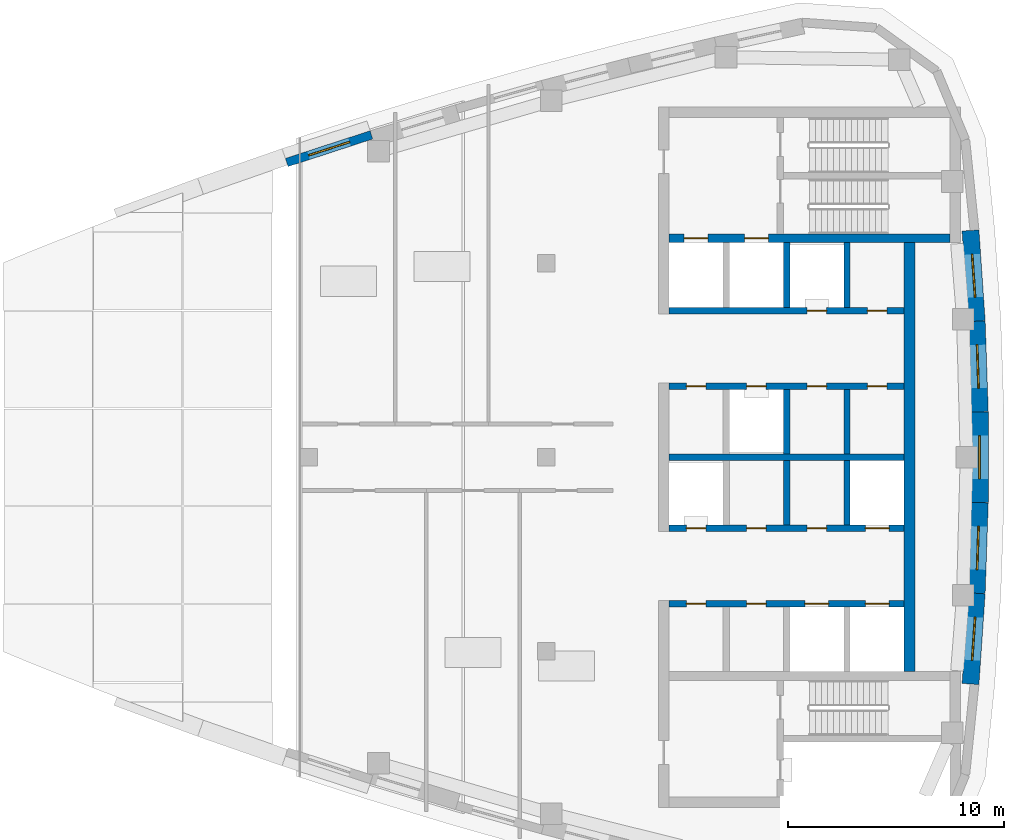
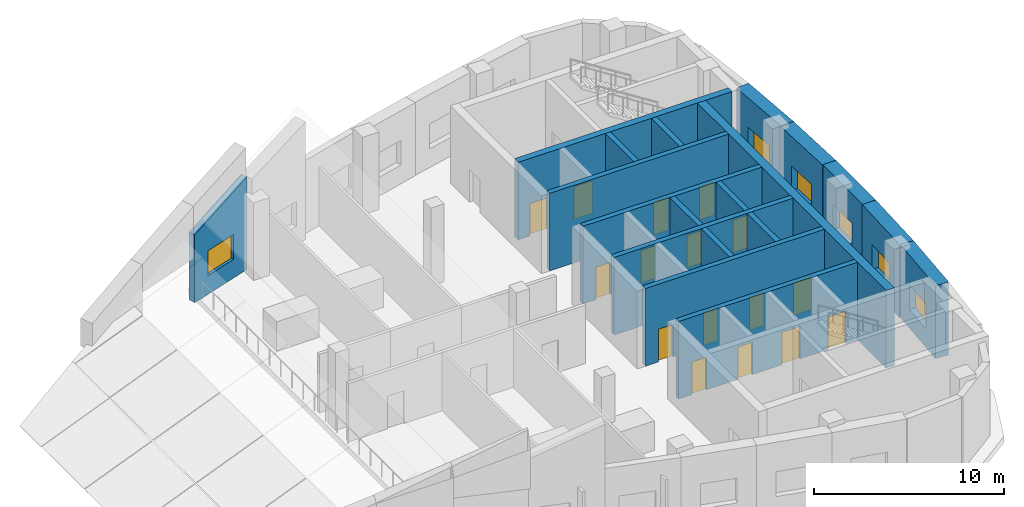
# One storey, part 3 of 8: 19 walls, 16 doors, 6 windows, 22 openings.
"""IFC4 building model written with IfcOpenShell, lengths in metres."""

from ifc_helpers import new_model, si_unit, direction, frame, frame_2d, origin, place, context, subcontext, project, spatial, polyline, rectangle, outline, extrude, material, layer, layer_set, type_object, element, fill, save


model = new_model("IFC4")

# Units and contexts
model_context = context("Model", 3, precision=1e-05, world=origin(), true_north=direction((0.0, 1.0)))
body_context = subcontext(model_context, "Body", "Model", "MODEL_VIEW")
ifc_project = project(units=[si_unit("LENGTHUNIT", "METRE"), si_unit("AREAUNIT", "SQUARE_METRE"), si_unit("VOLUMEUNIT", "CUBIC_METRE"), si_unit("PLANEANGLEUNIT", "RADIAN"), si_unit("MASSUNIT", "GRAM", prefix="KILO")], contexts=[model_context])

# Site, building, storey
site_placement = place(None, origin())
site = spatial("IfcSite", under=ifc_project, at=site_placement, CompositionType="ELEMENT")
building_placement = place(site_placement, origin())
building = spatial("IfcBuilding", under=site, at=building_placement, Name="Ostrand Prow Hotel Tower", CompositionType="ELEMENT")
storey_placement = place(building_placement, frame((0.0, 0.0, 332.39990234375)))
storey = spatial("IfcBuildingStorey", under=building, at=storey_placement, Name="C6", CompositionType="ELEMENT", Elevation=332.39990234375)

# Wall
ifc_material_1 = material(Name="Concrete C40/50", Category="concrete")
ifc_layer_1 = layer(ifc_material_1, 0.300048828125)
ifc_layer_set_1 = layer_set([ifc_layer_1], Name="Concrete C40/50")
wall_type_1 = type_object("IfcWallType", Name="Core wall 300 C40/50", PredefinedType="SHEAR", material=ifc_layer_set_1)
wall_1_placement = place(storey_placement, frame((50.699951171875, 0.0, 0.0), z_axis=(0.0, 0.0, 1.0), x_axis=(1.0, 0.0, 0.0)))
element("IfcWall", 1, at=wall_1_placement, inside=storey, type_object=wall_type_1, Name="Core wall PW-C", PredefinedType="SHEAR", context=body_context, shape_type="SweptSolid", body=[
    extrude(rectangle(XDim=10.900146484375, YDim=0.300048828125, at=frame_2d((5.4501953125, 0.0))), origin(), (0.0, 0.0, 1.0), 5.0),
])

# Wall, openings, doors
wall_2_placement = place(storey_placement, frame((50.699951171875, 3.300048828125, 0.0), z_axis=(0.0, 0.0, 1.0), x_axis=(1.0, 0.0, 0.0)))
wall_2 = element("IfcWall", 2, at=wall_2_placement, inside=storey, type_object=wall_type_1, Name="Core wall PW-L1-N", PredefinedType="SHEAR", context=body_context, shape_type="SweptSolid", body=[
    extrude(rectangle(XDim=10.900146484375, YDim=0.300048828125, at=frame_2d((5.4501953125, 0.0))), origin(), (0.0, 0.0, 1.0), 5.0),
])
opening_1_placement = place(wall_2_placement, frame((0.800048828125, 0.0, 0.0)))
opening_1 = element("IfcOpeningElement", 3, at=opening_1_placement, cuts=wall_2, Name="Opening FD2", PredefinedType="OPENING", context=body_context, shape_type="SweptSolid", body=[
    extrude(rectangle(XDim=0.89990234375, YDim=2.10009765625, at=frame_2d((0.449951171875, 1.050048828125))), frame((0.0, 0.159912109375, 0.0), z_axis=(0.0, -1.0, 0.0), x_axis=(1.0, 0.0, 0.0)), (0.0, 0.0, 1.0), 0.320068359375),
])
opening_2_placement = place(wall_2_placement, frame((3.60009765625, 0.0, 0.0)))
opening_2 = element("IfcOpeningElement", 4, at=opening_2_placement, cuts=wall_2, Name="Opening FD2", PredefinedType="OPENING", context=body_context, shape_type="SweptSolid", body=[
    extrude(rectangle(XDim=0.89990234375, YDim=2.10009765625, at=frame_2d((0.449951171875, 1.050048828125))), frame((0.0, 0.159912109375, 0.0), z_axis=(0.0, -1.0, 0.0), x_axis=(1.0, 0.0, 0.0)), (0.0, 0.0, 1.0), 0.320068359375),
])
opening_3_placement = place(wall_2_placement, frame((6.39990234375, 0.0, 0.0)))
opening_3 = element("IfcOpeningElement", 5, at=opening_3_placement, cuts=wall_2, Name="Opening FD2", PredefinedType="OPENING", context=body_context, shape_type="SweptSolid", body=[
    extrude(rectangle(XDim=0.89990234375, YDim=2.10009765625, at=frame_2d((0.449951171875, 1.050048828125))), frame((0.0, 0.159912109375, 0.0), z_axis=(0.0, -1.0, 0.0), x_axis=(1.0, 0.0, 0.0)), (0.0, 0.0, 1.0), 0.320068359375),
])
opening_4_placement = place(wall_2_placement, frame((9.199951171875, 0.0, 0.0)))
opening_4 = element("IfcOpeningElement", 6, at=opening_4_placement, cuts=wall_2, Name="Opening FD2", PredefinedType="OPENING", context=body_context, shape_type="SweptSolid", body=[
    extrude(rectangle(XDim=0.89990234375, YDim=2.10009765625, at=frame_2d((0.449951171875, 1.050048828125))), frame((0.0, 0.159912109375, 0.0), z_axis=(0.0, -1.0, 0.0), x_axis=(1.0, 0.0, 0.0)), (0.0, 0.0, 1.0), 0.320068359375),
])
ifc_material_2 = material(Name="Steel fire door", Category="steel")
door_type_1 = type_object("IfcDoorType", Name="Fire door 900 EI120", OperationType="SINGLE_SWING_LEFT", PredefinedType="DOOR", material=ifc_material_2)
door_1_placement = place(opening_1_placement, origin())
door_1 = element("IfcDoor", 7, at=door_1_placement, inside=storey, type_object=door_type_1, Name="DOOR", OperationType="SINGLE_SWING_LEFT", OverallHeight=2.10009765625, OverallWidth=0.89990234375, PredefinedType="DOOR", context=body_context, shape_type="SweptSolid", body=[
    extrude(rectangle(XDim=0.89990234375, YDim=2.10009765625, at=frame_2d((0.449951171875, 1.050048828125))), frame((0.0, 0.02490234375, 0.0), z_axis=(0.0, -1.0, 0.0), x_axis=(1.0, 0.0, 0.0)), (0.0, 0.0, 1.0), 0.050048828125),
])
fill(opening_1, door_1)
door_2_placement = place(opening_2_placement, origin())
door_2 = element("IfcDoor", 8, at=door_2_placement, inside=storey, type_object=door_type_1, Name="DOOR", OperationType="SINGLE_SWING_LEFT", OverallHeight=2.10009765625, OverallWidth=0.89990234375, PredefinedType="DOOR", context=body_context, shape_type="SweptSolid", body=[
    extrude(rectangle(XDim=0.89990234375, YDim=2.10009765625, at=frame_2d((0.449951171875, 1.050048828125))), frame((0.0, 0.02490234375, 0.0), z_axis=(0.0, -1.0, 0.0), x_axis=(1.0, 0.0, 0.0)), (0.0, 0.0, 1.0), 0.050048828125),
])
fill(opening_2, door_2)
door_3_placement = place(opening_3_placement, origin())
door_3 = element("IfcDoor", 9, at=door_3_placement, inside=storey, type_object=door_type_1, Name="DOOR", OperationType="SINGLE_SWING_LEFT", OverallHeight=2.10009765625, OverallWidth=0.89990234375, PredefinedType="DOOR", context=body_context, shape_type="SweptSolid", body=[
    extrude(rectangle(XDim=0.89990234375, YDim=2.10009765625, at=frame_2d((0.449951171875, 1.050048828125))), frame((0.0, 0.02490234375, 0.0), z_axis=(0.0, -1.0, 0.0), x_axis=(1.0, 0.0, 0.0)), (0.0, 0.0, 1.0), 0.050048828125),
])
fill(opening_3, door_3)
door_4_placement = place(opening_4_placement, origin())
door_4 = element("IfcDoor", 10, at=door_4_placement, inside=storey, type_object=door_type_1, Name="DOOR", OperationType="SINGLE_SWING_LEFT", OverallHeight=2.10009765625, OverallWidth=0.89990234375, PredefinedType="DOOR", context=body_context, shape_type="SweptSolid", body=[
    extrude(rectangle(XDim=0.89990234375, YDim=2.10009765625, at=frame_2d((0.449951171875, 1.050048828125))), frame((0.0, 0.02490234375, 0.0), z_axis=(0.0, -1.0, 0.0), x_axis=(1.0, 0.0, 0.0)), (0.0, 0.0, 1.0), 0.050048828125),
])
fill(opening_4, door_4)

wall_3_placement = place(storey_placement, frame((50.699951171875, 6.800048828125, 0.0), z_axis=(0.0, 0.0, 1.0), x_axis=(1.0, 0.0, 0.0)))
wall_3 = element("IfcWall", 11, at=wall_3_placement, inside=storey, type_object=wall_type_1, Name="Core wall PW-L2-N", PredefinedType="SHEAR", context=body_context, shape_type="SweptSolid", body=[
    extrude(rectangle(XDim=10.900146484375, YDim=0.300048828125, at=frame_2d((5.4501953125, 0.0))), origin(), (0.0, 0.0, 1.0), 5.0),
])
opening_5_placement = place(wall_3_placement, frame((6.39990234375, 0.0, 0.0)))
opening_5 = element("IfcOpeningElement", 12, at=opening_5_placement, cuts=wall_3, Name="Opening FD2", PredefinedType="OPENING", context=body_context, shape_type="SweptSolid", body=[
    extrude(rectangle(XDim=0.89990234375, YDim=2.10009765625, at=frame_2d((0.449951171875, 1.050048828125))), frame((0.0, 0.159912109375, 0.0), z_axis=(0.0, -1.0, 0.0), x_axis=(1.0, 0.0, 0.0)), (0.0, 0.0, 1.0), 0.320068359375),
])
opening_6_placement = place(wall_3_placement, frame((9.199951171875, 0.0, 0.0)))
opening_6 = element("IfcOpeningElement", 13, at=opening_6_placement, cuts=wall_3, Name="Opening FD2", PredefinedType="OPENING", context=body_context, shape_type="SweptSolid", body=[
    extrude(rectangle(XDim=0.89990234375, YDim=2.10009765625, at=frame_2d((0.449951171875, 1.050048828125))), frame((0.0, 0.159912109375, 0.0), z_axis=(0.0, -1.0, 0.0), x_axis=(1.0, 0.0, 0.0)), (0.0, 0.0, 1.0), 0.320068359375),
])
door_5_placement = place(opening_5_placement, origin())
door_5 = element("IfcDoor", 14, at=door_5_placement, inside=storey, type_object=door_type_1, Name="DOOR", OperationType="SINGLE_SWING_LEFT", OverallHeight=2.10009765625, OverallWidth=0.89990234375, PredefinedType="DOOR", context=body_context, shape_type="SweptSolid", body=[
    extrude(rectangle(XDim=0.89990234375, YDim=2.10009765625, at=frame_2d((0.449951171875, 1.050048828125))), frame((0.0, 0.02490234375, 0.0), z_axis=(0.0, -1.0, 0.0), x_axis=(1.0, 0.0, 0.0)), (0.0, 0.0, 1.0), 0.050048828125),
])
fill(opening_5, door_5)
door_6_placement = place(opening_6_placement, origin())
door_6 = element("IfcDoor", 15, at=door_6_placement, inside=storey, type_object=door_type_1, Name="DOOR", OperationType="SINGLE_SWING_LEFT", OverallHeight=2.10009765625, OverallWidth=0.89990234375, PredefinedType="DOOR", context=body_context, shape_type="SweptSolid", body=[
    extrude(rectangle(XDim=0.89990234375, YDim=2.10009765625, at=frame_2d((0.449951171875, 1.050048828125))), frame((0.0, 0.02490234375, 0.0), z_axis=(0.0, -1.0, 0.0), x_axis=(1.0, 0.0, 0.0)), (0.0, 0.0, 1.0), 0.050048828125),
])
fill(opening_6, door_6)

# Walls
for number, where, z_axis, x_axis, name in (
    (16, (56.14990234375, 0.14990234375, 0.0), (0.0, 0.0, 1.0), (0.0, 1.0, 0.0), "Core wall PW-R2-NB"),
    (17, (56.14990234375, 6.949951171875, 0.0), (0.0, 0.0, 1.0), (0.0, 1.0, 0.0), "Core wall PW-R2-NA"),
    (18, (58.949951171875, 0.14990234375, 0.0), (0.0, 0.0, 1.0), (0.0, 1.0, 0.0), "Core wall PW-R3-NB"),
    (19, (58.949951171875, 6.949951171875, 0.0), (0.0, 0.0, 1.0), (0.0, 1.0, 0.0), "Core wall PW-R3-NA"),
):
    element("IfcWall", number, at=place(storey_placement, frame(where, z_axis=z_axis, x_axis=x_axis)), inside=storey, type_object=wall_type_1, Name=name, PredefinedType="SHEAR", context=body_context, shape_type="SweptSolid", body=[
        extrude(rectangle(XDim=3.0, YDim=0.300048828125, at=frame_2d((1.5, 0.0))), origin(), (0.0, 0.0, 1.0), 5.0),
    ])

# Wall, openings, doors
wall_4_placement = place(storey_placement, frame((50.699951171875, -3.300048828125, 0.0), z_axis=(0.0, 0.0, 1.0), x_axis=(1.0, 0.0, 0.0)))
wall_4 = element("IfcWall", 20, at=wall_4_placement, inside=storey, type_object=wall_type_1, Name="Core wall PW-L1-S", PredefinedType="SHEAR", context=body_context, shape_type="SweptSolid", body=[
    extrude(rectangle(XDim=10.900146484375, YDim=0.300048828125, at=frame_2d((5.4501953125, 0.0))), origin(), (0.0, 0.0, 1.0), 5.0),
])
opening_7_placement = place(wall_4_placement, frame((9.10009765625, 0.0, 0.0)))
opening_7 = element("IfcOpeningElement", 21, at=opening_7_placement, cuts=wall_4, Name="Opening LD", PredefinedType="OPENING", context=body_context, shape_type="SweptSolid", body=[
    extrude(rectangle(XDim=1.10009765625, YDim=2.10009765625, at=frame_2d((0.550048828125, 1.050048828125))), frame((0.0, 0.159912109375, 0.0), z_axis=(0.0, -1.0, 0.0), x_axis=(1.0, 0.0, 0.0)), (0.0, 0.0, 1.0), 0.320068359375),
])
opening_8_placement = place(wall_4_placement, frame((0.800048828125, 0.0, 0.0)))
opening_8 = element("IfcOpeningElement", 22, at=opening_8_placement, cuts=wall_4, Name="Opening FD2", PredefinedType="OPENING", context=body_context, shape_type="SweptSolid", body=[
    extrude(rectangle(XDim=0.89990234375, YDim=2.10009765625, at=frame_2d((0.449951171875, 1.050048828125))), frame((0.0, 0.159912109375, 0.0), z_axis=(0.0, -1.0, 0.0), x_axis=(1.0, 0.0, 0.0)), (0.0, 0.0, 1.0), 0.320068359375),
])
opening_9_placement = place(wall_4_placement, frame((3.60009765625, 0.0, 0.0)))
opening_9 = element("IfcOpeningElement", 23, at=opening_9_placement, cuts=wall_4, Name="Opening FD2", PredefinedType="OPENING", context=body_context, shape_type="SweptSolid", body=[
    extrude(rectangle(XDim=0.89990234375, YDim=2.10009765625, at=frame_2d((0.449951171875, 1.050048828125))), frame((0.0, 0.159912109375, 0.0), z_axis=(0.0, -1.0, 0.0), x_axis=(1.0, 0.0, 0.0)), (0.0, 0.0, 1.0), 0.320068359375),
])
opening_10_placement = place(wall_4_placement, frame((6.39990234375, 0.0, 0.0)))
opening_10 = element("IfcOpeningElement", 24, at=opening_10_placement, cuts=wall_4, Name="Opening FD2", PredefinedType="OPENING", context=body_context, shape_type="SweptSolid", body=[
    extrude(rectangle(XDim=0.89990234375, YDim=2.10009765625, at=frame_2d((0.449951171875, 1.050048828125))), frame((0.0, 0.159912109375, 0.0), z_axis=(0.0, -1.0, 0.0), x_axis=(1.0, 0.0, 0.0)), (0.0, 0.0, 1.0), 0.320068359375),
])
door_7_placement = place(opening_8_placement, origin())
door_7 = element("IfcDoor", 25, at=door_7_placement, inside=storey, type_object=door_type_1, Name="DOOR", OperationType="SINGLE_SWING_LEFT", OverallHeight=2.10009765625, OverallWidth=0.89990234375, PredefinedType="DOOR", context=body_context, shape_type="SweptSolid", body=[
    extrude(rectangle(XDim=0.89990234375, YDim=2.10009765625, at=frame_2d((0.449951171875, 1.050048828125))), frame((0.0, 0.02490234375, 0.0), z_axis=(0.0, -1.0, 0.0), x_axis=(1.0, 0.0, 0.0)), (0.0, 0.0, 1.0), 0.050048828125),
])
fill(opening_8, door_7)
door_8_placement = place(opening_9_placement, origin())
door_8 = element("IfcDoor", 26, at=door_8_placement, inside=storey, type_object=door_type_1, Name="DOOR", OperationType="SINGLE_SWING_LEFT", OverallHeight=2.10009765625, OverallWidth=0.89990234375, PredefinedType="DOOR", context=body_context, shape_type="SweptSolid", body=[
    extrude(rectangle(XDim=0.89990234375, YDim=2.10009765625, at=frame_2d((0.449951171875, 1.050048828125))), frame((0.0, 0.02490234375, 0.0), z_axis=(0.0, -1.0, 0.0), x_axis=(1.0, 0.0, 0.0)), (0.0, 0.0, 1.0), 0.050048828125),
])
fill(opening_9, door_8)
door_9_placement = place(opening_10_placement, origin())
door_9 = element("IfcDoor", 27, at=door_9_placement, inside=storey, type_object=door_type_1, Name="DOOR", OperationType="SINGLE_SWING_LEFT", OverallHeight=2.10009765625, OverallWidth=0.89990234375, PredefinedType="DOOR", context=body_context, shape_type="SweptSolid", body=[
    extrude(rectangle(XDim=0.89990234375, YDim=2.10009765625, at=frame_2d((0.449951171875, 1.050048828125))), frame((0.0, 0.02490234375, 0.0), z_axis=(0.0, -1.0, 0.0), x_axis=(1.0, 0.0, 0.0)), (0.0, 0.0, 1.0), 0.050048828125),
])
fill(opening_10, door_9)
ifc_material_3 = material(Name="Stainless steel door", Category="steel")
door_type_2 = type_object("IfcDoorType", Name="Lift landing door 1100", OperationType="DOUBLE_DOOR_SLIDING", PredefinedType="DOOR", material=ifc_material_3)
door_10_placement = place(opening_7_placement, origin())
door_10 = element("IfcDoor", 28, at=door_10_placement, inside=storey, type_object=door_type_2, Name="LIFT LANDING DOOR", OperationType="DOUBLE_DOOR_SLIDING", OverallHeight=2.10009765625, OverallWidth=1.10009765625, PredefinedType="DOOR", context=body_context, shape_type="SweptSolid", body=[
    extrude(rectangle(XDim=1.10009765625, YDim=2.10009765625, at=frame_2d((0.550048828125, 1.050048828125))), frame((0.0, 0.02490234375, 0.0), z_axis=(0.0, -1.0, 0.0), x_axis=(1.0, 0.0, 0.0)), (0.0, 0.0, 1.0), 0.050048828125),
])
fill(opening_7, door_10)

wall_5_placement = place(storey_placement, frame((50.699951171875, -6.800048828125, 0.0), z_axis=(0.0, 0.0, 1.0), x_axis=(1.0, 0.0, 0.0)))
wall_5 = element("IfcWall", 29, at=wall_5_placement, inside=storey, type_object=wall_type_1, Name="Core wall PW-L2-S", PredefinedType="SHEAR", context=body_context, shape_type="SweptSolid", body=[
    extrude(rectangle(XDim=10.900146484375, YDim=0.300048828125, at=frame_2d((5.4501953125, 0.0))), origin(), (0.0, 0.0, 1.0), 5.0),
])
opening_11_placement = place(wall_5_placement, frame((6.300048828125, 0.0, 0.0)))
opening_11 = element("IfcOpeningElement", 30, at=opening_11_placement, cuts=wall_5, Name="Opening LD", PredefinedType="OPENING", context=body_context, shape_type="SweptSolid", body=[
    extrude(rectangle(XDim=1.10009765625, YDim=2.10009765625, at=frame_2d((0.550048828125, 1.050048828125))), frame((0.0, 0.159912109375, 0.0), z_axis=(0.0, -1.0, 0.0), x_axis=(1.0, 0.0, 0.0)), (0.0, 0.0, 1.0), 0.320068359375),
])
opening_12_placement = place(wall_5_placement, frame((9.10009765625, 0.0, 0.0)))
opening_12 = element("IfcOpeningElement", 31, at=opening_12_placement, cuts=wall_5, Name="Opening LD", PredefinedType="OPENING", context=body_context, shape_type="SweptSolid", body=[
    extrude(rectangle(XDim=1.10009765625, YDim=2.10009765625, at=frame_2d((0.550048828125, 1.050048828125))), frame((0.0, 0.159912109375, 0.0), z_axis=(0.0, -1.0, 0.0), x_axis=(1.0, 0.0, 0.0)), (0.0, 0.0, 1.0), 0.320068359375),
])
opening_13_placement = place(wall_5_placement, frame((0.800048828125, 0.0, 0.0)))
opening_13 = element("IfcOpeningElement", 32, at=opening_13_placement, cuts=wall_5, Name="Opening FD2", PredefinedType="OPENING", context=body_context, shape_type="SweptSolid", body=[
    extrude(rectangle(XDim=0.89990234375, YDim=2.10009765625, at=frame_2d((0.449951171875, 1.050048828125))), frame((0.0, 0.159912109375, 0.0), z_axis=(0.0, -1.0, 0.0), x_axis=(1.0, 0.0, 0.0)), (0.0, 0.0, 1.0), 0.320068359375),
])
opening_14_placement = place(wall_5_placement, frame((3.60009765625, 0.0, 0.0)))
opening_14 = element("IfcOpeningElement", 33, at=opening_14_placement, cuts=wall_5, Name="Opening FD2", PredefinedType="OPENING", context=body_context, shape_type="SweptSolid", body=[
    extrude(rectangle(XDim=0.89990234375, YDim=2.10009765625, at=frame_2d((0.449951171875, 1.050048828125))), frame((0.0, 0.159912109375, 0.0), z_axis=(0.0, -1.0, 0.0), x_axis=(1.0, 0.0, 0.0)), (0.0, 0.0, 1.0), 0.320068359375),
])
door_11_placement = place(opening_13_placement, origin())
door_11 = element("IfcDoor", 34, at=door_11_placement, inside=storey, type_object=door_type_1, Name="DOOR", OperationType="SINGLE_SWING_LEFT", OverallHeight=2.10009765625, OverallWidth=0.89990234375, PredefinedType="DOOR", context=body_context, shape_type="SweptSolid", body=[
    extrude(rectangle(XDim=0.89990234375, YDim=2.10009765625, at=frame_2d((0.449951171875, 1.050048828125))), frame((0.0, 0.02490234375, 0.0), z_axis=(0.0, -1.0, 0.0), x_axis=(1.0, 0.0, 0.0)), (0.0, 0.0, 1.0), 0.050048828125),
])
fill(opening_13, door_11)
door_12_placement = place(opening_14_placement, origin())
door_12 = element("IfcDoor", 35, at=door_12_placement, inside=storey, type_object=door_type_1, Name="DOOR", OperationType="SINGLE_SWING_LEFT", OverallHeight=2.10009765625, OverallWidth=0.89990234375, PredefinedType="DOOR", context=body_context, shape_type="SweptSolid", body=[
    extrude(rectangle(XDim=0.89990234375, YDim=2.10009765625, at=frame_2d((0.449951171875, 1.050048828125))), frame((0.0, 0.02490234375, 0.0), z_axis=(0.0, -1.0, 0.0), x_axis=(1.0, 0.0, 0.0)), (0.0, 0.0, 1.0), 0.050048828125),
])
fill(opening_14, door_12)
door_13_placement = place(opening_11_placement, origin())
door_13 = element("IfcDoor", 36, at=door_13_placement, inside=storey, type_object=door_type_2, Name="LIFT LANDING DOOR", OperationType="DOUBLE_DOOR_SLIDING", OverallHeight=2.10009765625, OverallWidth=1.10009765625, PredefinedType="DOOR", context=body_context, shape_type="SweptSolid", body=[
    extrude(rectangle(XDim=1.10009765625, YDim=2.10009765625, at=frame_2d((0.550048828125, 1.050048828125))), frame((0.0, 0.02490234375, 0.0), z_axis=(0.0, -1.0, 0.0), x_axis=(1.0, 0.0, 0.0)), (0.0, 0.0, 1.0), 0.050048828125),
])
fill(opening_11, door_13)
door_14_placement = place(opening_12_placement, origin())
door_14 = element("IfcDoor", 37, at=door_14_placement, inside=storey, type_object=door_type_2, Name="LIFT LANDING DOOR", OperationType="DOUBLE_DOOR_SLIDING", OverallHeight=2.10009765625, OverallWidth=1.10009765625, PredefinedType="DOOR", context=body_context, shape_type="SweptSolid", body=[
    extrude(rectangle(XDim=1.10009765625, YDim=2.10009765625, at=frame_2d((0.550048828125, 1.050048828125))), frame((0.0, 0.02490234375, 0.0), z_axis=(0.0, -1.0, 0.0), x_axis=(1.0, 0.0, 0.0)), (0.0, 0.0, 1.0), 0.050048828125),
])
fill(opening_12, door_14)

# Walls
for number, where, z_axis, x_axis, name in (
    (38, (56.14990234375, -3.14990234375, 0.0), (0.0, 0.0, 1.0), (0.0, 1.0, 0.0), "Core wall PW-R2-SB"),
    (39, (58.949951171875, -3.14990234375, 0.0), (0.0, 0.0, 1.0), (0.0, 1.0, 0.0), "Core wall PW-R3-SB"),
):
    element("IfcWall", number, at=place(storey_placement, frame(where, z_axis=z_axis, x_axis=x_axis)), inside=storey, type_object=wall_type_1, Name=name, PredefinedType="SHEAR", context=body_context, shape_type="SweptSolid", body=[
        extrude(rectangle(XDim=3.0, YDim=0.300048828125, at=frame_2d((1.5, 0.0))), origin(), (0.0, 0.0, 1.0), 5.0),
    ])

# Wall, openings, doors
ifc_material_4 = material(Name="Concrete C40/50", Category="concrete")
ifc_layer_2 = layer(ifc_material_4, 0.39990234375)
ifc_layer_set_2 = layer_set([ifc_layer_2], Name="Concrete C40/50")
wall_type_2 = type_object("IfcWallType", Name="Core wall 400 C40/50", PredefinedType="SHEAR", material=ifc_layer_set_2)
wall_6_placement = place(storey_placement, frame((50.699951171875, 10.14990234375, 0.0), z_axis=(0.0, 0.0, 1.0), x_axis=(1.0, 0.0, 0.0)))
wall_6 = element("IfcWall", 40, at=wall_6_placement, inside=storey, type_object=wall_type_2, Name="Core wall PW-BN", PredefinedType="SHEAR", context=body_context, shape_type="SweptSolid", body=[
    extrude(rectangle(XDim=13.02001953125, YDim=0.39990234375, at=frame_2d((6.510009765625, 0.0))), origin(), (0.0, 0.0, 1.0), 5.0),
])
opening_15_placement = place(wall_6_placement, frame((0.699951171875, 0.0, 0.0)))
opening_15 = element("IfcOpeningElement", 41, at=opening_15_placement, cuts=wall_6, Name="Opening LD", PredefinedType="OPENING", context=body_context, shape_type="SweptSolid", body=[
    extrude(rectangle(XDim=1.10009765625, YDim=2.10009765625, at=frame_2d((0.550048828125, 1.050048828125))), frame((0.0, 0.2099609375, 0.0), z_axis=(0.0, -1.0, 0.0), x_axis=(1.0, 0.0, 0.0)), (0.0, 0.0, 1.0), 0.419921875),
])
opening_16_placement = place(wall_6_placement, frame((3.5, 0.0, 0.0)))
opening_16 = element("IfcOpeningElement", 42, at=opening_16_placement, cuts=wall_6, Name="Opening LD", PredefinedType="OPENING", context=body_context, shape_type="SweptSolid", body=[
    extrude(rectangle(XDim=1.10009765625, YDim=2.10009765625, at=frame_2d((0.550048828125, 1.050048828125))), frame((0.0, 0.2099609375, 0.0), z_axis=(0.0, -1.0, 0.0), x_axis=(1.0, 0.0, 0.0)), (0.0, 0.0, 1.0), 0.419921875),
])
door_15_placement = place(opening_15_placement, origin())
door_15 = element("IfcDoor", 43, at=door_15_placement, inside=storey, type_object=door_type_2, Name="LIFT LANDING DOOR", OperationType="DOUBLE_DOOR_SLIDING", OverallHeight=2.10009765625, OverallWidth=1.10009765625, PredefinedType="DOOR", context=body_context, shape_type="SweptSolid", body=[
    extrude(rectangle(XDim=1.10009765625, YDim=2.10009765625, at=frame_2d((0.550048828125, 1.050048828125))), frame((0.0, 0.02490234375, 0.0), z_axis=(0.0, -1.0, 0.0), x_axis=(1.0, 0.0, 0.0)), (0.0, 0.0, 1.0), 0.050048828125),
])
fill(opening_15, door_15)
door_16_placement = place(opening_16_placement, origin())
door_16 = element("IfcDoor", 44, at=door_16_placement, inside=storey, type_object=door_type_2, Name="LIFT LANDING DOOR", OperationType="DOUBLE_DOOR_SLIDING", OverallHeight=2.10009765625, OverallWidth=1.10009765625, PredefinedType="DOOR", context=body_context, shape_type="SweptSolid", body=[
    extrude(rectangle(XDim=1.10009765625, YDim=2.10009765625, at=frame_2d((0.550048828125, 1.050048828125))), frame((0.0, 0.02490234375, 0.0), z_axis=(0.0, -1.0, 0.0), x_axis=(1.0, 0.0, 0.0)), (0.0, 0.0, 1.0), 0.050048828125),
])
fill(opening_16, door_16)

# Wall
ifc_material_5 = material(Name="Concrete C40/50", Category="concrete")
ifc_layer_3 = layer(ifc_material_5, 0.5)
ifc_layer_set_3 = layer_set([ifc_layer_3], Name="Concrete C40/50")
wall_type_3 = type_object("IfcWallType", Name="Core wall 500 C40/50", PredefinedType="SHEAR", material=ifc_layer_set_3)
wall_7_placement = place(storey_placement, frame((61.85009765625, -9.949951171875, 0.0), z_axis=(0.0, 0.0, 1.0), x_axis=(0.0, 1.0, 0.0)))
element("IfcWall", 45, at=wall_7_placement, inside=storey, type_object=wall_type_3, Name="Core wall CW-E-C", PredefinedType="SHEAR", context=body_context, shape_type="SweptSolid", body=[
    extrude(rectangle(XDim=19.89990234375, YDim=0.5, at=frame_2d((9.949951171875, 0.0))), origin(), (0.0, 0.0, 1.0), 5.0),
])

# Wall, opening, window
ifc_material_6 = material(Name="Precast concrete C40/50", Category="concrete")
ifc_layer_4 = layer(ifc_material_6, 0.39990234375)
ifc_layer_set_4 = layer_set([ifc_layer_4], Name="Precast concrete C40/50")
wall_type_4 = type_object("IfcWallType", Name="Stone-faced precast wall 400 mm", PredefinedType="NOTDEFINED", material=ifc_layer_set_4)
wall_8_placement = place(storey_placement, frame((64.67822265625, -10.518798828125, 0.0), z_axis=(0.0, 0.0, 1.0), x_axis=(0.068243871044, 0.997668669481, 0.0)))
wall_8 = element("IfcWall", 46, at=wall_8_placement, inside=storey, type_object=wall_type_4, Name="Crown side wall C6 20", PredefinedType="NOTDEFINED", context=body_context, shape_type="SweptSolid", body=[
    extrude(rectangle(XDim=4.2177734375, YDim=0.784912109375, at=frame_2d((2.10888671875, 0.0))), origin(), (0.0, 0.0, 1.0), 4.7001953125),
])
opening_17_placement = place(wall_8_placement, frame((1.10888671875, 0.0, 1.199951171875)))
opening_17 = element("IfcOpeningElement", 47, at=opening_17_placement, cuts=wall_8, Name="Opening WV1", PredefinedType="OPENING", context=body_context, shape_type="SweptSolid", body=[
    extrude(rectangle(XDim=2.0, YDim=1.60009765625, at=frame_2d((1.0, 0.800048828125))), frame((0.0, 0.40234375, 0.0), z_axis=(0.0, -1.0, 0.0), x_axis=(1.0, 0.0, 0.0)), (0.0, 0.0, 1.0), 0.804931640625),
])
ifc_material_7 = material(Name="Bronze anodised aluminium louvre", Category="aluminium")
window_type = type_object("IfcWindowType", Name="Louvre vent 2000x1600", PartitioningType="SINGLE_PANEL", PredefinedType="WINDOW", material=ifc_material_7)
window_1_placement = place(opening_17_placement, origin())
window_1 = element("IfcWindow", 48, at=window_1_placement, inside=storey, type_object=window_type, Name="Louvre vent 20.1", OverallHeight=1.60009765625, OverallWidth=2.0, PartitioningType="SINGLE_PANEL", PredefinedType="WINDOW", context=body_context, shape_type="SweptSolid", body=[
    extrude(rectangle(XDim=2.0, YDim=1.60009765625, at=frame_2d((1.0, 0.800048828125))), frame((0.0, 0.030029296875, 0.0), z_axis=(0.0, -1.0, 0.0), x_axis=(1.0, 0.0, 0.0)), (0.0, 0.0, 1.0), 0.06005859375),
])
fill(opening_17, window_1)

wall_9_placement = place(storey_placement, frame((64.945556640625, -6.31689453125, 0.0), z_axis=(0.0, 0.0, 1.0), x_axis=(0.034151270612, 0.999416675224, 0.0)))
wall_9 = element("IfcWall", 49, at=wall_9_placement, inside=storey, type_object=wall_type_4, Name="Crown side wall C6 21", PredefinedType="NOTDEFINED", context=body_context, shape_type="SweptSolid", body=[
    extrude(rectangle(XDim=4.2177734375, YDim=0.825439453125, at=frame_2d((2.10888671875, 0.0))), origin(), (0.0, 0.0, 1.0), 4.7001953125),
])
opening_18_placement = place(wall_9_placement, frame((1.10888671875, 0.0, 1.199951171875)))
opening_18 = element("IfcOpeningElement", 50, at=opening_18_placement, cuts=wall_9, Name="Opening WV1", PredefinedType="OPENING", context=body_context, shape_type="SweptSolid", body=[
    extrude(rectangle(XDim=2.0, YDim=1.60009765625, at=frame_2d((1.0, 0.800048828125))), frame((0.0, 0.422607421875, 0.0), z_axis=(0.0, -1.0, 0.0), x_axis=(1.0, 0.0, 0.0)), (0.0, 0.0, 1.0), 0.845458984375),
])
window_2_placement = place(opening_18_placement, origin())
window_2 = element("IfcWindow", 51, at=window_2_placement, inside=storey, type_object=window_type, Name="Louvre vent 21.1", OverallHeight=1.60009765625, OverallWidth=2.0, PartitioningType="SINGLE_PANEL", PredefinedType="WINDOW", context=body_context, shape_type="SweptSolid", body=[
    extrude(rectangle(XDim=2.0, YDim=1.60009765625, at=frame_2d((1.0, 0.800048828125))), frame((0.0, 0.030029296875, 0.0), z_axis=(0.0, -1.0, 0.0), x_axis=(1.0, 0.0, 0.0)), (0.0, 0.0, 1.0), 0.06005859375),
])
fill(opening_18, window_2)

wall_10_placement = place(storey_placement, frame((65.10107421875, -2.10888671875, 0.0), z_axis=(0.0, 0.0, 1.0), x_axis=(0.0, 1.0, 0.0)))
wall_10 = element("IfcWall", 52, at=wall_10_placement, inside=storey, type_object=wall_type_4, Name="Crown side wall C6 22", PredefinedType="NOTDEFINED", context=body_context, shape_type="SweptSolid", body=[
    extrude(rectangle(XDim=4.2177734375, YDim=0.802001953125, at=frame_2d((2.10888671875, 0.0))), origin(), (0.0, 0.0, 1.0), 4.7001953125),
])
opening_19_placement = place(wall_10_placement, frame((1.10888671875, 0.0, 1.199951171875)))
opening_19 = element("IfcOpeningElement", 53, at=opening_19_placement, cuts=wall_10, Name="Opening WV1", PredefinedType="OPENING", context=body_context, shape_type="SweptSolid", body=[
    extrude(rectangle(XDim=2.0, YDim=1.60009765625, at=frame_2d((1.0, 0.800048828125))), frame((0.0, 0.410888671875, 0.0), z_axis=(0.0, -1.0, 0.0), x_axis=(1.0, 0.0, 0.0)), (0.0, 0.0, 1.0), 0.822021484375),
])
window_3_placement = place(opening_19_placement, origin())
window_3 = element("IfcWindow", 54, at=window_3_placement, inside=storey, type_object=window_type, Name="Louvre vent 22.1", OverallHeight=1.60009765625, OverallWidth=2.0, PartitioningType="SINGLE_PANEL", PredefinedType="WINDOW", context=body_context, shape_type="SweptSolid", body=[
    extrude(rectangle(XDim=2.0, YDim=1.60009765625, at=frame_2d((1.0, 0.800048828125))), frame((0.0, 0.030029296875, 0.0), z_axis=(0.0, -1.0, 0.0), x_axis=(1.0, 0.0, 0.0)), (0.0, 0.0, 1.0), 0.06005859375),
])
fill(opening_19, window_3)

wall_11_placement = place(storey_placement, frame((65.089599609375, 2.1015625, 0.0), z_axis=(0.0, 0.0, 1.0), x_axis=(-0.034151270612, 0.999416675224, 0.0)))
wall_11 = element("IfcWall", 55, at=wall_11_placement, inside=storey, type_object=wall_type_4, Name="Crown side wall C6 23", PredefinedType="NOTDEFINED", context=body_context, shape_type="SweptSolid", body=[
    extrude(rectangle(XDim=4.2177734375, YDim=0.825439453125, at=frame_2d((2.10888671875, 0.0))), origin(), (0.0, 0.0, 1.0), 4.7001953125),
])
opening_20_placement = place(wall_11_placement, frame((1.10888671875, 0.0, 1.199951171875)))
opening_20 = element("IfcOpeningElement", 56, at=opening_20_placement, cuts=wall_11, Name="Opening WV1", PredefinedType="OPENING", context=body_context, shape_type="SweptSolid", body=[
    extrude(rectangle(XDim=2.0, YDim=1.60009765625, at=frame_2d((1.0, 0.800048828125))), frame((0.0, 0.422607421875, 0.0), z_axis=(0.0, -1.0, 0.0), x_axis=(1.0, 0.0, 0.0)), (0.0, 0.0, 1.0), 0.845458984375),
])
window_4_placement = place(opening_20_placement, origin())
window_4 = element("IfcWindow", 57, at=window_4_placement, inside=storey, type_object=window_type, Name="Louvre vent 23.1", OverallHeight=1.60009765625, OverallWidth=2.0, PartitioningType="SINGLE_PANEL", PredefinedType="WINDOW", context=body_context, shape_type="SweptSolid", body=[
    extrude(rectangle(XDim=2.0, YDim=1.60009765625, at=frame_2d((1.0, 0.800048828125))), frame((0.0, 0.030029296875, 0.0), z_axis=(0.0, -1.0, 0.0), x_axis=(1.0, 0.0, 0.0)), (0.0, 0.0, 1.0), 0.06005859375),
])
fill(opening_20, window_4)

wall_12_placement = place(storey_placement, frame((64.966064453125, 6.310791015625, 0.0), z_axis=(0.0, 0.0, 1.0), x_axis=(-0.068243871044, 0.997668669481, 0.0)))
wall_12 = element("IfcWall", 58, at=wall_12_placement, inside=storey, type_object=wall_type_4, Name="Crown side wall C6 24", PredefinedType="NOTDEFINED", context=body_context, shape_type="SweptSolid", body=[
    extrude(rectangle(XDim=4.2177734375, YDim=0.784912109375, at=frame_2d((2.10888671875, 0.0))), origin(), (0.0, 0.0, 1.0), 4.7001953125),
])
opening_21_placement = place(wall_12_placement, frame((1.10888671875, 0.0, 1.199951171875)))
opening_21 = element("IfcOpeningElement", 59, at=opening_21_placement, cuts=wall_12, Name="Opening WV1", PredefinedType="OPENING", context=body_context, shape_type="SweptSolid", body=[
    extrude(rectangle(XDim=2.0, YDim=1.60009765625, at=frame_2d((1.0, 0.800048828125))), frame((0.0, 0.40234375, 0.0), z_axis=(0.0, -1.0, 0.0), x_axis=(1.0, 0.0, 0.0)), (0.0, 0.0, 1.0), 0.804931640625),
])
window_5_placement = place(opening_21_placement, origin())
window_5 = element("IfcWindow", 60, at=window_5_placement, inside=storey, type_object=window_type, Name="Louvre vent 24.1", OverallHeight=1.60009765625, OverallWidth=2.0, PartitioningType="SINGLE_PANEL", PredefinedType="WINDOW", context=body_context, shape_type="SweptSolid", body=[
    extrude(rectangle(XDim=2.0, YDim=1.60009765625, at=frame_2d((1.0, 0.800048828125))), frame((0.0, 0.030029296875, 0.0), z_axis=(0.0, -1.0, 0.0), x_axis=(1.0, 0.0, 0.0)), (0.0, 0.0, 1.0), 0.06005859375),
])
fill(opening_21, window_5)

wall_13_placement = place(storey_placement, frame((36.892822265625, 14.951904296875, 0.0), z_axis=(0.0, 0.0, 1.0), x_axis=(-0.950701822842, -0.310106504356, 0.0)))
wall_13 = element("IfcWall", 61, at=wall_13_placement, inside=storey, type_object=wall_type_4, Name="Crown side wall C6 34", PredefinedType="NOTDEFINED", context=body_context, shape_type="SweptSolid", body=[
    extrude(outline(polyline([(0.0, 0.0), (4.13232421875, 0.0), (4.132568359375, 4.377685546875), (0.0, 5.96484375), (0.0, 0.0)])), frame((0.0, 0.199951171875, 0.0), z_axis=(0.0, -1.0, 0.0), x_axis=(1.0, 0.0, 0.0)), (0.0, 0.0, 1.0), 0.39990234375),
])
opening_22_placement = place(wall_13_placement, frame((1.06640625, 0.0, 1.199951171875)))
opening_22 = element("IfcOpeningElement", 62, at=opening_22_placement, cuts=wall_13, Name="Opening WV1", PredefinedType="OPENING", context=body_context, shape_type="SweptSolid", body=[
    extrude(rectangle(XDim=2.0, YDim=1.60009765625, at=frame_2d((1.0, 0.800048828125))), frame((0.0, 0.2099609375, 0.0), z_axis=(0.0, -1.0, 0.0), x_axis=(1.0, 0.0, 0.0)), (0.0, 0.0, 1.0), 0.419921875),
])
window_6_placement = place(opening_22_placement, origin())
window_6 = element("IfcWindow", 63, at=window_6_placement, inside=storey, type_object=window_type, Name="Louvre vent 34.1", OverallHeight=1.60009765625, OverallWidth=2.0, PartitioningType="SINGLE_PANEL", PredefinedType="WINDOW", context=body_context, shape_type="SweptSolid", body=[
    extrude(rectangle(XDim=2.0, YDim=1.60009765625, at=frame_2d((1.0, 0.800048828125))), frame((0.0, 0.030029296875, 0.0), z_axis=(0.0, -1.0, 0.0), x_axis=(1.0, 0.0, 0.0)), (0.0, 0.0, 1.0), 0.06005859375),
])
fill(opening_22, window_6)

save(model, "model.ifc")
